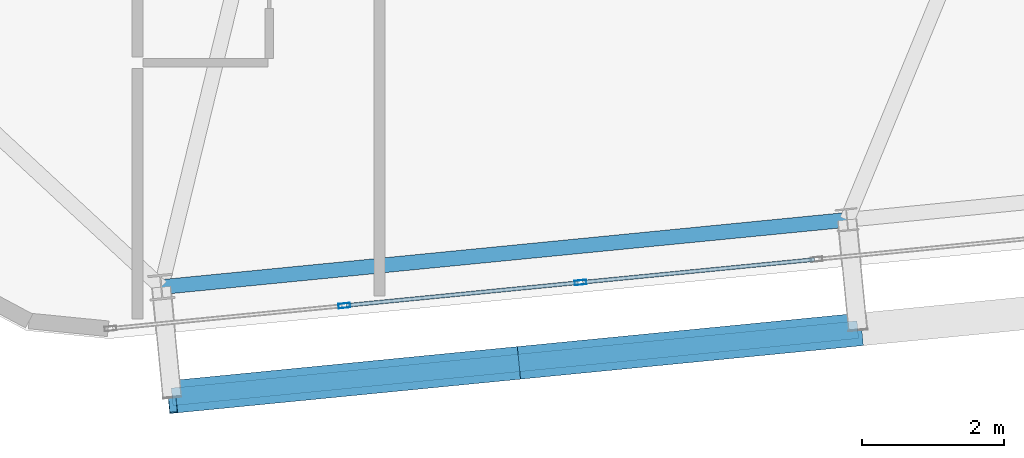
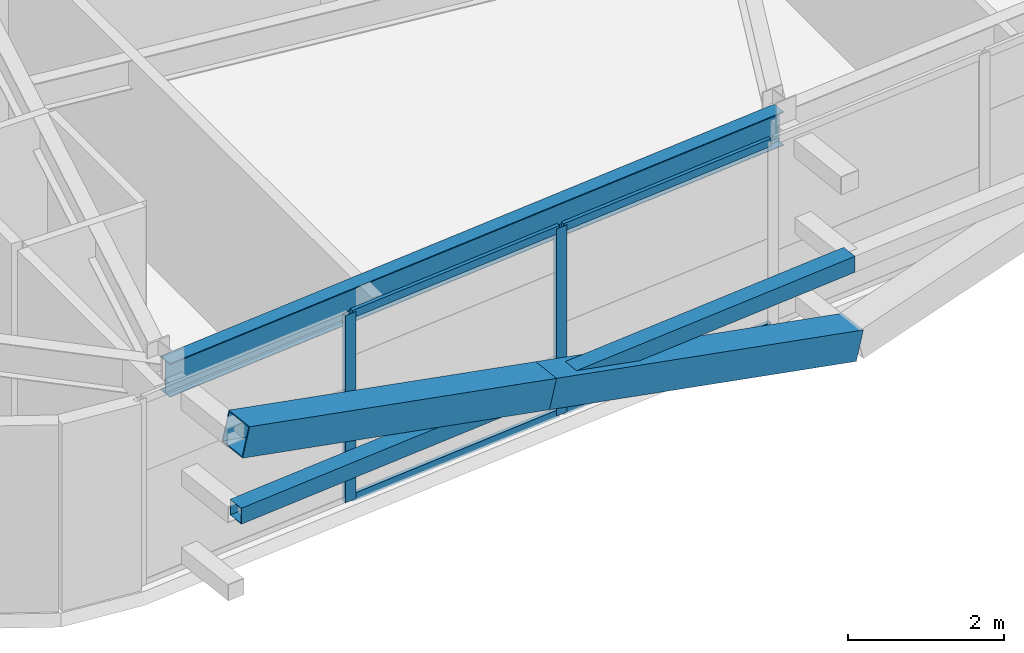
# One storey, part 6 of 52: 9 members, 1 beam, 1 element without a shape of its own.
"""IFC4 building model written with IfcOpenShell, lengths in metres."""

from ifc_helpers import new_model, si_unit, direction, frame, origin, origin_2d, place, context, subcontext, project, spatial, hollow_rectangle, i_section, extrude, source, transform, mapped, material, layer, layer_set, material_profile, profile_set, type_object, element, aggregate, save


model = new_model("IFC4")

# Units and contexts
model_context = context("Model", 3, precision=1e-05, world=origin(), true_north=direction((0.0, 1.0)))
body_context = subcontext(model_context, "Body", "Model", "MODEL_VIEW")
ifc_project = project(units=[si_unit("LENGTHUNIT", "METRE"), si_unit("AREAUNIT", "SQUARE_METRE"), si_unit("VOLUMEUNIT", "CUBIC_METRE"), si_unit("PLANEANGLEUNIT", "RADIAN"), si_unit("MASSUNIT", "GRAM", prefix="KILO")], contexts=[model_context])

# Site, building, storey
site_placement = place(None, origin())
site = spatial("IfcSite", under=ifc_project, at=site_placement, CompositionType="ELEMENT")
building_placement = place(site_placement, origin())
building = spatial("IfcBuilding", under=site, at=building_placement, Name="Taldren Reach Tower", CompositionType="ELEMENT")
storey_placement = place(building_placement, frame((0.0, 0.0, 77.699951171875)))
storey = spatial("IfcBuildingStorey", under=building, at=storey_placement, Name="L23", CompositionType="ELEMENT", Elevation=77.699951171875)

# Beam
ifc_material_1 = material(Name="Steel Gr 350 (350PLUS)", Category="steel")
ifc_material_profile_1 = material_profile(ifc_material_1, i_section(OverallWidth=0.208984375, OverallDepth=0.528076171875, WebThickness=0.009521484375, FlangeThickness=0.01318359375, at=origin_2d()), Name="530UB82.0")
ifc_profile_set_1 = profile_set([ifc_material_profile_1], Name="Steel Gr 350 (350PLUS)")
beam_type = type_object("IfcBeamType", Name="SP-UB530B", PredefinedType="SPANDREL", material=ifc_profile_set_1)
shared_shape_1 = source(origin(), body_context, "Body", "SweptSolid", [
    extrude(i_section(OverallWidth=0.208984375, OverallDepth=0.528076171875, WebThickness=0.009521484375, FlangeThickness=0.01318359375, at=origin_2d()), origin(), (0.0, 0.0, 1.0), 9.679931640625),
])
beam_placement = place(storey_placement, frame((14.93408203125, -0.079833984375, 2.666015625), z_axis=(0.995227612658, 0.097580730699, 0.0), x_axis=(-0.097580730699, 0.995227612658, 0.0)))
element("IfcBeam", 1, at=beam_placement, inside=storey, type_object=beam_type, Name="Perimeter spandrel B2 S1-S2 L23", PredefinedType="SPANDREL", context=body_context, shape_type="MappedRepresentation", body=[
    mapped(shared_shape_1, transform((0.0, 0.0, 0.0), scale=1.0)),
])

# Members
ifc_material_2 = material(Name="Steel Gr 450 (C450L0)", Category="steel")
ifc_material_profile_2 = material_profile(ifc_material_2, hollow_rectangle(XDim=0.4599609375, YDim=0.4599609375, WallThickness=0.01611328125, at=origin_2d()), Name="460x460x16.0SHS")
ifc_profile_set_2 = profile_set([ifc_material_profile_2], Name="Steel Gr 450 (C450L0)")
member_type_1 = type_object("IfcMemberType", Name="MB-EXO457", PredefinedType="BRACE", material=ifc_profile_set_2)
shared_shape_2 = source(origin(), body_context, "Body", "SweptSolid", [
    extrude(hollow_rectangle(XDim=0.4599609375, YDim=0.4599609375, WallThickness=0.01611328125, at=origin_2d()), origin(), (0.0, 0.0, 1.0), 4.990234375),
])
for number, where, z_axis, x_axis, name in (
    (2, (24.71923828125, -0.677978515625, 0.219970703125), (-0.965275526283, -0.094619506732, 0.243496010862), (0.097555749586, -0.995230061706, 0.0), "Exoskeleton Diagrid Brace B2-S1 L23"),
    (3, (19.90234375, -1.150146484375, 1.43505859375), (-0.965271056716, -0.094667992638, 0.243494883389), (0.097605711627, -0.995225162995, 0.0), "Exoskeleton Diagrid Brace B2-S1 L23"),
):
    element("IfcMember", number, at=place(storey_placement, frame(where, z_axis=z_axis, x_axis=x_axis)), inside=storey, type_object=member_type_1, Name=name, PredefinedType="BRACE", context=body_context, shape_type="MappedRepresentation", body=[
        mapped(shared_shape_2, transform((0.0, 0.0, 0.0), scale=1.0)),
    ])
ifc_material_3 = material(Name="Steel Gr 350 (C350L0)", Category="steel")
ifc_material_profile_3 = material_profile(ifc_material_3, hollow_rectangle(XDim=0.25, YDim=0.25, WallThickness=0.010009765625, at=origin_2d()), Name="250x250x10.0SHS")
ifc_profile_set_3 = profile_set([ifc_material_profile_3], Name="Steel Gr 350 (C350L0)")
member_type_2 = type_object("IfcMemberType", Name="MB-POST250", PredefinedType="POST", material=ifc_profile_set_3)
shared_shape_3 = source(origin(), body_context, "Body", "SweptSolid", [
    extrude(hollow_rectangle(XDim=0.25, YDim=0.25, WallThickness=0.010009765625, at=origin_2d()), origin(), (0.0, 0.0, 1.0), 9.679931640625),
])
member_1_placement = place(storey_placement, frame((15.08544921875, -1.62255859375, 1.43505859375), z_axis=(0.995227612658, 0.097580730699, 0.0), x_axis=(-0.097580730699, 0.995227612658, 0.0)))
element("IfcMember", 4, at=member_1_placement, inside=storey, type_object=member_type_2, Name="Exoskeleton mid-height ring chord B2-S1 L23", PredefinedType="POST", context=body_context, shape_type="MappedRepresentation", body=[
    mapped(shared_shape_3, transform((0.0, 0.0, 0.0), scale=1.0)),
])

# Curtain wall, members
ifc_material_4 = material(Name="Aluminium and Low-E Glass Unitised System", Category="aluminium")
ifc_layer = layer(ifc_material_4, 0.159912109375)
ifc_layer_set = layer_set([ifc_layer], Name="Aluminium and Low-E Glass Unitised System")
curtain_wall_type = type_object("IfcCurtainWallType", Name="CW-SYS-3", PredefinedType="NOTDEFINED", material=ifc_layer_set)
curtain_wall_placement = place(storey_placement, origin())
curtain_wall = element("IfcCurtainWall", 5, at=curtain_wall_placement, inside=storey, type_object=curtain_wall_type, Name="Unitised curtain wall CW-L23-S", PredefinedType="NOTDEFINED")
ifc_material_5 = material(Name="Anodised Aluminium 6063-T6", Category="aluminium")
ifc_material_profile_4 = material_profile(ifc_material_5, hollow_rectangle(XDim=0.06494140625, YDim=0.1650390625, WallThickness=0.00390625, at=origin_2d()), Name="ALU-165x65x4RHS")
ifc_profile_set_4 = profile_set([ifc_material_profile_4], Name="Anodised Aluminium 6063-T6")
member_type_3 = type_object("IfcMemberType", Name="CW-MUL-165", PredefinedType="MULLION", material=ifc_profile_set_4)
shared_shape_4 = source(origin(), body_context, "Body", "SweptSolid", [
    extrude(hollow_rectangle(XDim=0.06494140625, YDim=0.1650390625, WallThickness=0.00390625, at=origin_2d()), origin(), (0.0, 0.0, 1.0), 2.929931640625),
])
member_2_placement = place(storey_placement, frame((17.505126953125, -0.34033203125, 0.0), z_axis=(0.0, 0.0, 1.0), x_axis=(-0.097582999046, 0.995227390247, 0.0)))
member_2 = element("IfcMember", 6, at=member_2_placement, type_object=member_type_3, Name="CW-3 mullion 2", PredefinedType="MULLION", context=body_context, shape_type="MappedRepresentation", body=[
    mapped(shared_shape_4, transform((0.0, 0.0, 0.0), scale=1.0)),
])
member_3_placement = place(storey_placement, frame((20.822509765625, -0.014892578125, 0.0), z_axis=(0.0, 0.0, 1.0), x_axis=(-0.097582999046, 0.995227390247, 0.0)))
member_3 = element("IfcMember", 7, at=member_3_placement, type_object=member_type_3, Name="CW-3 mullion 3", PredefinedType="MULLION", context=body_context, shape_type="MappedRepresentation", body=[
    mapped(shared_shape_4, transform((0.0, 0.0, 0.0), scale=1.0)),
])
ifc_material_profile_5 = material_profile(ifc_material_5, hollow_rectangle(XDim=0.054931640625, YDim=0.1201171875, WallThickness=0.0029296875, at=origin_2d()), Name="ALU-120x55x3RHS")
ifc_profile_set_5 = profile_set([ifc_material_profile_5], Name="Anodised Aluminium 6063-T6")
member_type_4 = type_object("IfcMemberType", Name="CW-TRN-135", PredefinedType="USERDEFINED", material=ifc_profile_set_5)
shared_shape_5 = source(origin(), body_context, "Body", "SweptSolid", [
    extrude(hollow_rectangle(XDim=0.054931640625, YDim=0.1201171875, WallThickness=0.0029296875, at=origin_2d()), origin(), (0.0, 0.0, 1.0), 3.268310546875),
])
member_4_placement = place(storey_placement, frame((17.53759765625, -0.337158203125, 0.027587890625), z_axis=(0.995222549564, 0.097632355496, 0.0), x_axis=(-0.097632355496, 0.995222549564, 0.0)))
member_4 = element("IfcMember", 8, at=member_4_placement, type_object=member_type_4, Name="CW-3 transom 2.1", ObjectType="TRANSOM", PredefinedType="USERDEFINED", context=body_context, shape_type="MappedRepresentation", body=[
    mapped(shared_shape_5, transform((0.0, 0.0, 0.0), scale=1.0)),
])
member_5_placement = place(storey_placement, frame((17.53759765625, -0.337158203125, 2.902587890625), z_axis=(0.995222549564, 0.097632355496, 0.0), x_axis=(-0.097632355496, 0.995222549564, 0.0)))
member_5 = element("IfcMember", 9, at=member_5_placement, type_object=member_type_4, Name="CW-3 transom 2.2", ObjectType="TRANSOM", PredefinedType="USERDEFINED", context=body_context, shape_type="MappedRepresentation", body=[
    mapped(shared_shape_5, transform((0.0, 0.0, 0.0), scale=1.0)),
])
member_6_placement = place(storey_placement, frame((20.85498046875, -0.01171875, 0.027587890625), z_axis=(0.99522980512, 0.097558367146, 0.0), x_axis=(-0.097558367146, 0.99522980512, 0.0)))
member_6 = element("IfcMember", 10, at=member_6_placement, type_object=member_type_4, Name="CW-3 transom 3.1", ObjectType="TRANSOM", PredefinedType="USERDEFINED", context=body_context, shape_type="MappedRepresentation", body=[
    mapped(shared_shape_5, transform((0.0, 0.0, 0.0), scale=1.0)),
])
member_7_placement = place(storey_placement, frame((20.85498046875, -0.01171875, 2.902587890625), z_axis=(0.99522980512, 0.097558367146, 0.0), x_axis=(-0.097558367146, 0.99522980512, 0.0)))
member_7 = element("IfcMember", 11, at=member_7_placement, type_object=member_type_4, Name="CW-3 transom 3.2", ObjectType="TRANSOM", PredefinedType="USERDEFINED", context=body_context, shape_type="MappedRepresentation", body=[
    mapped(shared_shape_5, transform((0.0, 0.0, 0.0), scale=1.0)),
])
aggregate(curtain_wall, [member_2, member_3, member_4, member_5, member_6, member_7])

save(model, "model.ifc")
